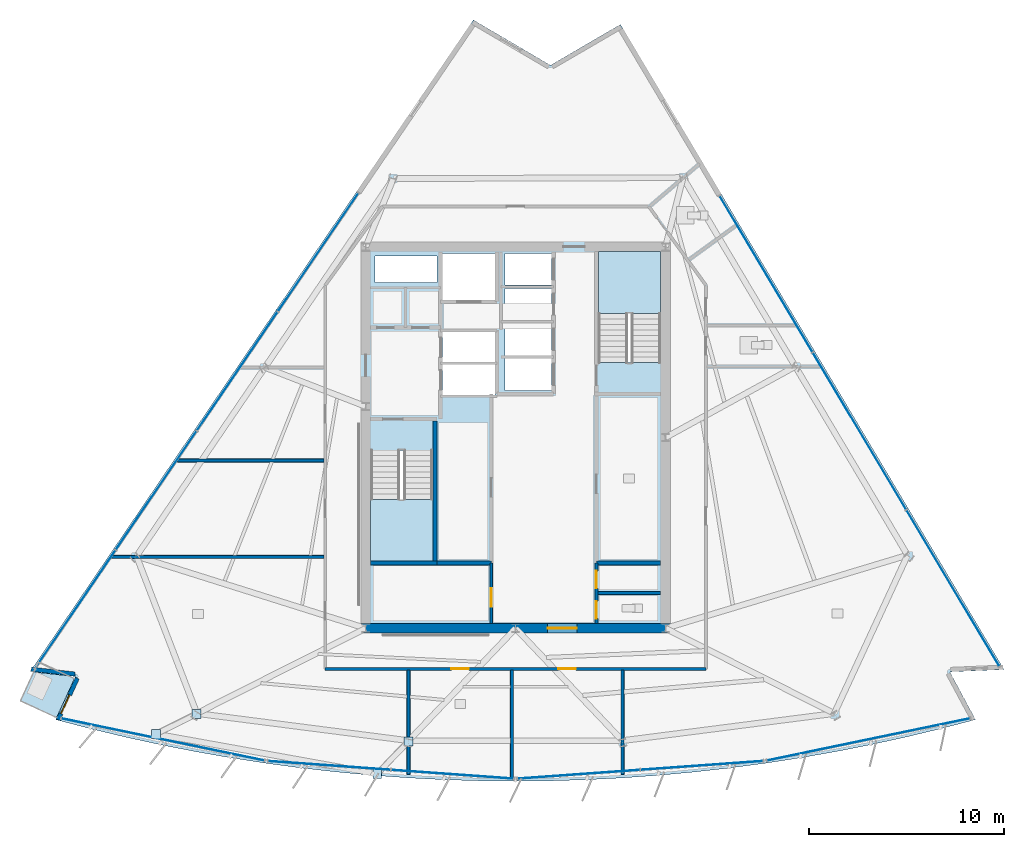
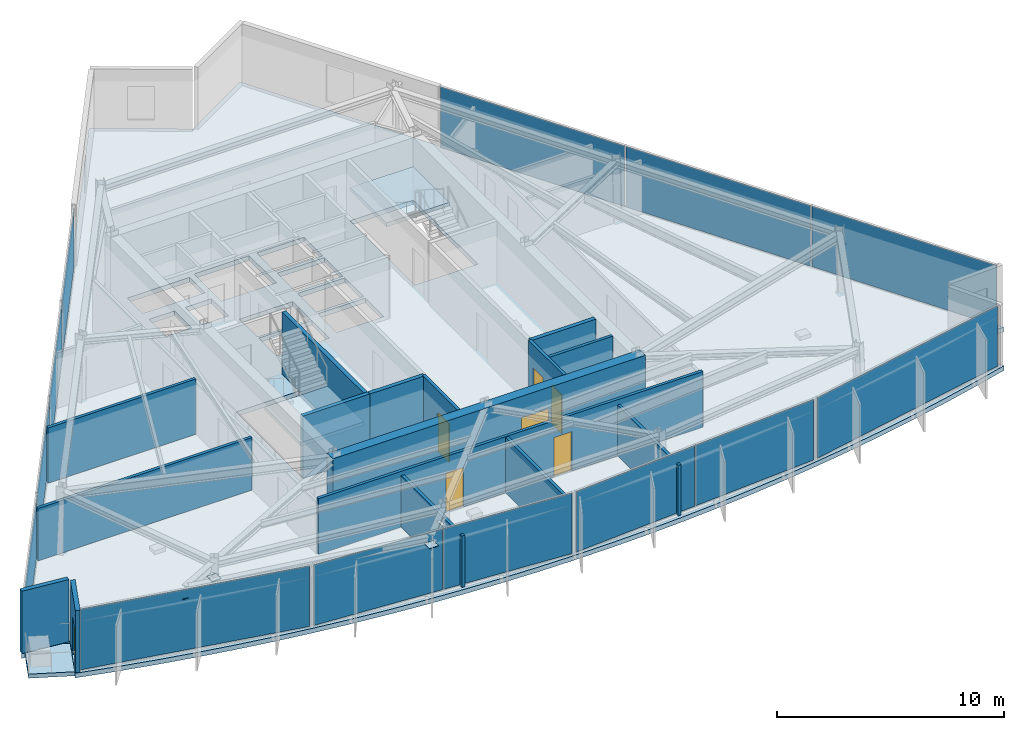
# One storey, part 6 of 13: 17 plates, 16 walls, 7 doors, 4 slabs, 7 openings, 8 elements without a shape of their own.
"""IFC4 building model written with IfcOpenShell, lengths in metres."""

from ifc_helpers import new_model, si_unit, direction, frame, frame_2d, origin, origin_2d, place, context, subcontext, project, spatial, polyline, rectangle, outline, extrude, material, layer, layer_set, type_object, element, fill, aggregate, save


model = new_model("IFC4")

# Units and contexts
model_context = context("Model", 3, precision=1e-05, world=origin(), true_north=direction((0.0, 1.0)))
body_context = subcontext(model_context, "Body", "Model", "MODEL_VIEW")
ifc_project = project(units=[si_unit("LENGTHUNIT", "METRE"), si_unit("AREAUNIT", "SQUARE_METRE"), si_unit("VOLUMEUNIT", "CUBIC_METRE"), si_unit("PLANEANGLEUNIT", "RADIAN"), si_unit("MASSUNIT", "GRAM", prefix="KILO")], contexts=[model_context])

# Site, building, storey
site_placement = place(None, origin())
site = spatial("IfcSite", under=ifc_project, at=site_placement, CompositionType="ELEMENT")
building_placement = place(site_placement, origin())
building = spatial("IfcBuilding", under=site, at=building_placement, Name="Savorim Split Tower", CompositionType="ELEMENT")
storey_placement = place(building_placement, frame((0.0, 0.0, 223.5)))
storey = spatial("IfcBuildingStorey", under=building, at=storey_placement, Name="L59", CompositionType="ELEMENT", Elevation=223.5)

# Curtain wall, plate
ifc_material_1 = material(Name="Dark Ceramic-Fritted Insulated Glass", Category="glass")
curtain_wall_type = type_object("IfcCurtainWallType", Name="CW-TWR-FRIT-B", PredefinedType="NOTDEFINED", material=ifc_material_1)
curtain_wall_1_placement = place(storey_placement, origin())
curtain_wall_1 = element("IfcCurtainWall", 1, at=curtain_wall_1_placement, inside=storey, type_object=curtain_wall_type, Name="L59 Curtain Wall CW-L59-SF1", PredefinedType="NOTDEFINED")
ifc_layer_1 = layer(ifc_material_1, 0.02587890625)
ifc_layer_set_1 = layer_set([ifc_layer_1], Name="CWP-FRITB-26")
plate_type_1 = type_object("IfcPlateType", Name="CWP-FRITB-26", PredefinedType="CURTAIN_PANEL", material=ifc_layer_set_1)
plate_1_placement = place(storey_placement, frame((-18.126953125, -15.110595703125, 0.050048828125), z_axis=(0.0, 0.0, 1.0), x_axis=(0.979134710676, -0.203212249506, 0.0)))
plate_1 = element("IfcPlate", 2, at=plate_1_placement, type_object=plate_type_1, Name="CW-03 panel 1.1", PredefinedType="CURTAIN_PANEL", context=body_context, shape_type="SweptSolid", body=[
    extrude(rectangle(XDim=10.62841796875, YDim=0.02587890625, at=origin_2d()), origin(), (0.0, 0.0, 1.0), 3.25),
])
aggregate(curtain_wall_1, [plate_1])

# Curtain wall, plates
curtain_wall_2_placement = place(storey_placement, origin())
curtain_wall_2 = element("IfcCurtainWall", 3, at=curtain_wall_2_placement, inside=storey, type_object=curtain_wall_type, Name="L59 Curtain Wall CW-L59-SF2", PredefinedType="NOTDEFINED")
plate_2_placement = place(storey_placement, frame((-9.5693359375, -16.446044921875, 0.050048828125), z_axis=(0.0, 0.0, 1.0), x_axis=(0.997436424319, -0.071558224136, 0.0)))
plate_2 = element("IfcPlate", 4, at=plate_2_placement, type_object=plate_type_1, Name="CW-03 panel 1.1", PredefinedType="CURTAIN_PANEL", context=body_context, shape_type="SweptSolid", body=[
    extrude(rectangle(XDim=6.28173828125, YDim=0.02587890625, at=origin_2d()), origin(), (0.0, 0.0, 1.0), 3.25),
])
plate_3_placement = place(storey_placement, frame((-3.243896484375, -16.899658203125, 0.050048828125), z_axis=(0.0, 0.0, 1.0), x_axis=(0.997436424319, -0.071558224136, 0.0)))
plate_3 = element("IfcPlate", 5, at=plate_3_placement, type_object=plate_type_1, Name="CW-03 panel 2.1", PredefinedType="CURTAIN_PANEL", context=body_context, shape_type="SweptSolid", body=[
    extrude(rectangle(XDim=6.28173828125, YDim=0.02587890625, at=origin_2d()), origin(), (0.0, 0.0, 1.0), 3.25),
])
aggregate(curtain_wall_2, [plate_2, plate_3])

curtain_wall_3_placement = place(storey_placement, origin())
curtain_wall_3 = element("IfcCurtainWall", 6, at=curtain_wall_3_placement, inside=storey, type_object=curtain_wall_type, Name="L59 Curtain Wall CW-L59-SF3", PredefinedType="NOTDEFINED")
plate_4_placement = place(storey_placement, frame((3.243896484375, -16.899658203125, 0.050048828125), z_axis=(0.0, 0.0, 1.0), x_axis=(0.997436424319, 0.071558224136, 0.0)))
plate_4 = element("IfcPlate", 7, at=plate_4_placement, type_object=plate_type_1, Name="CW-03 panel 1.1", PredefinedType="CURTAIN_PANEL", context=body_context, shape_type="SweptSolid", body=[
    extrude(rectangle(XDim=6.28173828125, YDim=0.02587890625, at=origin_2d()), origin(), (0.0, 0.0, 1.0), 3.25),
])
plate_5_placement = place(storey_placement, frame((9.5693359375, -16.446044921875, 0.050048828125), z_axis=(0.0, 0.0, 1.0), x_axis=(0.997436424319, 0.071558224136, 0.0)))
plate_5 = element("IfcPlate", 8, at=plate_5_placement, type_object=plate_type_1, Name="CW-03 panel 2.1", PredefinedType="CURTAIN_PANEL", context=body_context, shape_type="SweptSolid", body=[
    extrude(rectangle(XDim=6.28173828125, YDim=0.02587890625, at=origin_2d()), origin(), (0.0, 0.0, 1.0), 3.25),
])
aggregate(curtain_wall_3, [plate_4, plate_5])

# Curtain wall, plate
curtain_wall_4_placement = place(storey_placement, origin())
curtain_wall_4 = element("IfcCurtainWall", 9, at=curtain_wall_4_placement, inside=storey, type_object=curtain_wall_type, Name="L59 Curtain Wall CW-L59-SF4", PredefinedType="NOTDEFINED")
plate_6_placement = place(storey_placement, frame((18.126953125, -15.110595703125, 0.050048828125), z_axis=(0.0, 0.0, 1.0), x_axis=(0.979134710676, 0.203212249506, 0.0)))
plate_6 = element("IfcPlate", 10, at=plate_6_placement, type_object=plate_type_1, Name="CW-03 panel 1.1", PredefinedType="CURTAIN_PANEL", context=body_context, shape_type="SweptSolid", body=[
    extrude(rectangle(XDim=10.62841796875, YDim=0.02587890625, at=origin_2d()), origin(), (0.0, 0.0, 1.0), 3.25),
])
aggregate(curtain_wall_4, [plate_6])

# Curtain wall, plates
curtain_wall_5_placement = place(storey_placement, origin())
curtain_wall_5 = element("IfcCurtainWall", 11, at=curtain_wall_5_placement, inside=storey, type_object=curtain_wall_type, Name="L59 Curtain Wall CW-L59-EAST", PredefinedType="NOTDEFINED")
plate_7_placement = place(storey_placement, frame((22.467041015625, -7.335205078125, 0.050048828125), z_axis=(0.0, 0.0, 1.0), x_axis=(-0.51109620442, 0.859523513249, 0.0)))
plate_7 = element("IfcPlate", 12, at=plate_7_placement, type_object=plate_type_1, Name="CW-03 panel 1.1", PredefinedType="CURTAIN_PANEL", context=body_context, shape_type="SweptSolid", body=[
    extrude(rectangle(XDim=9.3125, YDim=0.02587890625, at=origin_2d()), origin(), (0.0, 0.0, 1.0), 3.25),
])
plate_8_placement = place(storey_placement, frame((17.669189453125, 0.733642578125, 0.050048828125), z_axis=(0.0, 0.0, 1.0), x_axis=(-0.51109620442, 0.859523513249, 0.0)))
plate_8 = element("IfcPlate", 13, at=plate_8_placement, type_object=plate_type_1, Name="CW-03 panel 2.1", PredefinedType="CURTAIN_PANEL", context=body_context, shape_type="SweptSolid", body=[
    extrude(rectangle(XDim=9.342529296875, YDim=0.02587890625, at=origin_2d()), origin(), (0.0, 0.0, 1.0), 3.25),
])
plate_9_placement = place(storey_placement, frame((12.871337890625, 8.802490234375, 0.050048828125), z_axis=(0.0, 0.0, 1.0), x_axis=(-0.51109620442, 0.859523513249, 0.0)))
plate_9 = element("IfcPlate", 14, at=plate_9_placement, type_object=plate_type_1, Name="CW-03 panel 3.1", PredefinedType="CURTAIN_PANEL", context=body_context, shape_type="SweptSolid", body=[
    extrude(rectangle(XDim=9.3125, YDim=0.02587890625, at=origin_2d()), origin(), (0.0, 0.0, 1.0), 3.25),
])
aggregate(curtain_wall_5, [plate_7, plate_8, plate_9])

curtain_wall_6_placement = place(storey_placement, origin())
curtain_wall_6 = element("IfcCurtainWall", 15, at=curtain_wall_6_placement, inside=storey, type_object=curtain_wall_type, Name="L59 Curtain Wall CW-L59-WEST", PredefinedType="NOTDEFINED")
plate_10_placement = place(storey_placement, frame((-10.14208984375, 9.923583984375, 0.050048828125), z_axis=(0.0, 0.0, 1.0), x_axis=(-0.562466573779, -0.826820024782, 0.0)))
plate_10 = element("IfcPlate", 16, at=plate_10_placement, type_object=plate_type_1, Name="CW-03 panel 1.1", PredefinedType="CURTAIN_PANEL", context=body_context, shape_type="SweptSolid", body=[
    extrude(rectangle(XDim=7.317626953125, YDim=0.02587890625, at=origin_2d()), origin(), (0.0, 0.0, 1.0), 3.25),
])
plate_11_placement = place(storey_placement, frame((-14.300048828125, 3.811279296875, 0.050048828125), z_axis=(0.0, 0.0, 1.0), x_axis=(-0.562466573779, -0.826820024782, 0.0)))
plate_11 = element("IfcPlate", 17, at=plate_11_placement, type_object=plate_type_1, Name="CW-03 panel 2.1", PredefinedType="CURTAIN_PANEL", context=body_context, shape_type="SweptSolid", body=[
    extrude(rectangle(XDim=7.347412109375, YDim=0.02587890625, at=origin_2d()), origin(), (0.0, 0.0, 1.0), 3.25),
])
plate_12_placement = place(storey_placement, frame((-18.466552734375, -2.313232421875, 0.050048828125), z_axis=(0.0, 0.0, 1.0), x_axis=(-0.562466573779, -0.826820024782, 0.0)))
plate_12 = element("IfcPlate", 18, at=plate_12_placement, type_object=plate_type_1, Name="CW-03 panel 3.1", PredefinedType="CURTAIN_PANEL", context=body_context, shape_type="SweptSolid", body=[
    extrude(rectangle(XDim=7.347412109375, YDim=0.02587890625, at=origin_2d()), origin(), (0.0, 0.0, 1.0), 3.25),
])
plate_13_placement = place(storey_placement, frame((-22.62451171875, -8.425537109375, 0.050048828125), z_axis=(0.0, 0.0, 1.0), x_axis=(-0.562466573779, -0.826820024782, 0.0)))
plate_13 = element("IfcPlate", 19, at=plate_13_placement, type_object=plate_type_1, Name="CW-03 panel 4.1", PredefinedType="CURTAIN_PANEL", context=body_context, shape_type="SweptSolid", body=[
    extrude(rectangle(XDim=7.317626953125, YDim=0.02587890625, at=origin_2d()), origin(), (0.0, 0.0, 1.0), 3.25),
])
aggregate(curtain_wall_6, [plate_10, plate_11, plate_12, plate_13])

# Plates
ifc_material_2 = material(Name="Steel S460", Category="steel")
ifc_layer_2 = layer(ifc_material_2, 0.02490234375)
ifc_layer_set_2 = layer_set([ifc_layer_2], Name="PLT-NODE-CN1")
plate_type_2 = type_object("IfcPlateType", Name="PLT-NODE-CN1", PredefinedType="SHEET", material=ifc_layer_set_2)
for number, where, z_axis, x_axis, name in (
    (20, (-16.3974609375, -13.8125, 2.4375), (0.0, 0.0, 1.0), (1.0, 0.0, 0.0), "L59 Bay Strut Column Gusset Plate 1"),
    (21, (-18.47216796875, -14.832275390625, 2.8076171875), (0.0, 0.0, 1.0), (1.0, 0.0, 0.0), "L59 Bay Strut Tip Gusset Plate 1"),
    (22, (-5.49560546875, -15.212158203125, 2.4375), (0.0, 0.0, 1.0), (1.0, 0.0, 0.0), "L59 Bay Strut Column Gusset Plate 2"),
    (23, (-7.107177734375, -16.875, 2.8076171875), (0.0, 0.0, 1.0), (1.0, 0.0, 0.0), "L59 Bay Strut Tip Gusset Plate 2"),
):
    element("IfcPlate", number, at=place(storey_placement, frame(where, z_axis=z_axis, x_axis=x_axis)), inside=storey, type_object=plate_type_2, Name=name, PredefinedType="SHEET", context=body_context, shape_type="SweptSolid", body=[
        extrude(rectangle(XDim=0.4599609375, YDim=0.4599609375, at=origin_2d()), origin(), (0.0, 0.0, 1.0), 0.02490234375),
    ])

# Slab
ifc_material_3 = material(Name="Concrete C50/60", Category="concrete")
ifc_layer_3 = layer(ifc_material_3, 0.219970703125)
ifc_layer_set_3 = layer_set([ifc_layer_3], Name="SLB-BAL-220")
slab_type_1 = type_object("IfcSlabType", Name="SLB-BAL-220", PredefinedType="FLOOR", material=ifc_layer_set_3)
slab_1_placement = place(storey_placement, frame((0.0, 0.0, -0.219970703125)))
element("IfcSlab", 24, at=slab_1_placement, inside=storey, type_object=slab_type_1, Name="L59 Notched Corner Planted Tree Balcony Slab", PredefinedType="FLOOR", context=body_context, shape_type="SweptSolid", body=[
    extrude(outline(polyline([(-23.583251953125, -13.97998046875), (-22.6650390625, -11.981689453125), (-22.9755859375, -11.839111328125), (-24.758544921875, -11.639892578125), (-25.44140625, -13.126220703125), (-23.583251953125, -13.97998046875)])), origin(), (0.0, 0.0, 1.0), 0.219970703125),
])

# Stair, slab
stair_type = type_object("IfcStairType", Name="STR-DOG-3600", PredefinedType="HALF_TURN_STAIR", material=ifc_material_3)
stair_1_placement = place(storey_placement, origin())
stair_1 = element("IfcStair", 25, at=stair_1_placement, inside=storey, type_object=stair_type, Name="L59 Core Protected Exit Stair ST-1", PredefinedType="HALF_TURN_STAIR")
ifc_layer_4 = layer(ifc_material_3, 0.199951171875)
ifc_layer_set_4 = layer_set([ifc_layer_4], Name="SLB-LND-200")
slab_type_2 = type_object("IfcSlabType", Name="SLB-LND-200", PredefinedType="LANDING", material=ifc_layer_set_4)
slab_2_placement = place(storey_placement, frame((0.0, 0.0, 1.60009765625)))
slab_2 = element("IfcSlab", 26, at=slab_2_placement, type_object=slab_type_2, Name="ST-1 landing 1", PredefinedType="LANDING", context=body_context, shape_type="SweptSolid", body=[
    extrude(outline(polyline([(-7.449951171875, -2.77001953125), (-7.449951171875, -5.949951171875), (-4.25, -5.949951171875), (-4.25, -2.77001953125), (-7.449951171875, -2.77001953125)])), origin(), (0.0, 0.0, 1.0), 0.199951171875),
])
aggregate(stair_1, [slab_2])

stair_2_placement = place(storey_placement, origin())
stair_2 = element("IfcStair", 27, at=stair_2_placement, inside=storey, type_object=stair_type, Name="L59 Core Protected Exit Stair ST-2", PredefinedType="HALF_TURN_STAIR")
slab_3_placement = place(storey_placement, frame((0.0, 0.0, 1.60009765625)))
slab_3 = element("IfcSlab", 28, at=slab_3_placement, type_object=slab_type_2, Name="ST-2 landing 1", PredefinedType="LANDING", context=body_context, shape_type="SweptSolid", body=[
    extrude(outline(polyline([(7.449951171875, 6.77001953125), (7.449951171875, 9.949951171875), (4.25, 9.949951171875), (4.25, 6.77001953125), (7.449951171875, 6.77001953125)])), origin(), (0.0, 0.0, 1.0), 0.199951171875),
])
aggregate(stair_2, [slab_3])

# Slab
ifc_layer_5 = layer(ifc_material_3, 0.25)
ifc_layer_set_5 = layer_set([ifc_layer_5], Name="SLB-TWR-250")
slab_type_3 = type_object("IfcSlabType", Name="SLB-TWR-250", PredefinedType="FLOOR", material=ifc_layer_set_5)
slab_4_placement = place(storey_placement, frame((0.0, 0.0, -0.25)))
element("IfcSlab", 29, at=slab_4_placement, inside=storey, type_object=slab_type_3, Name="L59 Structural Floor Slab", PredefinedType="FLOOR", context=body_context, shape_type="SweptSolid", body=[
    extrude(outline(polyline([(-23.62890625, -14.09130859375), (-21.849609375, -14.556396484375), (-20.06103515625, -14.9853515625), (-18.26416015625, -15.37744140625), (-16.45947265625, -15.73291015625), (-14.648193359375, -16.051025390625), (-12.83056640625, -16.332275390625), (-11.007568359375, -16.576171875), (-9.179931640625, -16.78271484375), (-7.3486328125, -16.951904296875), (-5.51416015625, -17.08349609375), (-3.677490234375, -17.177490234375), (-1.839111328125, -17.23388671875), (0.0, -17.252685546875), (1.839111328125, -17.23388671875), (3.677490234375, -17.177490234375), (5.51416015625, -17.08349609375), (7.3486328125, -16.951904296875), (9.179931640625, -16.78271484375), (11.007568359375, -16.576171875), (12.83056640625, -16.332275390625), (14.648193359375, -16.051025390625), (16.45947265625, -15.73291015625), (18.26416015625, -15.37744140625), (20.06103515625, -14.9853515625), (21.849609375, -14.556396484375), (23.62890625, -14.09130859375), (22.310791015625, -11.635009765625), (25.09326171875, -11.5166015625), (5.38623046875, 21.625244140625), (1.788818359375, 19.528564453125), (-2.17041015625, 21.85546875), (-24.939208984375, -11.61474609375), (-22.6103515625, -11.874755859375), (-23.62890625, -14.09130859375)]), holes=[polyline([(-7.449951171875, -0.25390625), (-7.449951171875, -5.949951171875), (-4.25, -5.949951171875), (-4.25, -0.25390625), (-7.449951171875, -0.25390625)]), polyline([(7.449951171875, 4.25390625), (7.449951171875, 9.949951171875), (4.25, 9.949951171875), (4.25, 4.25390625), (7.449951171875, 4.25390625)]), polyline([(-0.550048828125, 2.830078125), (1.85009765625, 2.830078125), (1.85009765625, 4.469970703125), (-0.550048828125, 4.469970703125), (-0.550048828125, 2.830078125)]), polyline([(-0.550048828125, 4.6298828125), (1.85009765625, 4.6298828125), (1.85009765625, 6.27001953125), (-0.550048828125, 6.27001953125), (-0.550048828125, 4.6298828125)]), polyline([(-0.550048828125, 6.429931640625), (1.85009765625, 6.429931640625), (1.85009765625, 8.070068359375), (-0.550048828125, 8.070068359375), (-0.550048828125, 6.429931640625)]), polyline([(-0.550048828125, 8.22998046875), (1.85009765625, 8.22998046875), (1.85009765625, 9.8701171875), (-0.550048828125, 9.8701171875), (-0.550048828125, 8.22998046875)]), polyline([(-3.75, 2.60009765625), (-1.050048828125, 2.60009765625), (-1.050048828125, 4.159912109375), (-3.75, 4.159912109375), (-3.75, 2.60009765625)]), polyline([(-3.75, 4.280029296875), (-1.050048828125, 4.280029296875), (-1.050048828125, 5.840087890625), (-3.75, 5.840087890625), (-3.75, 4.280029296875)]), polyline([(-3.75, 7.449951171875), (-0.949951171875, 7.449951171875), (-0.949951171875, 9.85009765625), (-3.75, 9.85009765625), (-3.75, 7.449951171875)]), polyline([(-7.219970703125, 6.320068359375), (-5.919921875, 6.320068359375), (-5.919921875, 7.820068359375), (-7.219970703125, 7.820068359375), (-7.219970703125, 6.320068359375)]), polyline([(-5.3798828125, 6.320068359375), (-4.050048828125, 6.320068359375), (-4.050048828125, 7.820068359375), (-5.3798828125, 7.820068359375), (-5.3798828125, 6.320068359375)]), polyline([(-7.219970703125, 8.360107421875), (-4.050048828125, 8.360107421875), (-4.050048828125, 9.719970703125), (-7.219970703125, 9.719970703125), (-7.219970703125, 8.360107421875)])]), origin(), (0.0, 0.0, 1.0), 0.25),
])

# Wall, opening, door
ifc_material_4 = material(Name="Concrete C60/75", Category="concrete")
ifc_layer_6 = layer(ifc_material_4, 0.5)
ifc_layer_set_6 = layer_set([ifc_layer_6], Name="WAL-COR-SH500")
wall_type_1 = type_object("IfcWallType", Name="WAL-COR-SH500", PredefinedType="SHEAR", material=ifc_layer_set_6)
wall_1_placement = place(storey_placement, frame((-7.949951171875, -9.39990234375, 0.0), z_axis=(0.0, 0.0, 1.0), x_axis=(1.0, 0.0, 0.0)))
wall_1 = element("IfcWall", 30, at=wall_1_placement, inside=storey, type_object=wall_type_1, Name="L59 Offset Core South Shear Wall", PredefinedType="SHEAR", context=body_context, shape_type="SweptSolid", body=[
    extrude(rectangle(XDim=15.89990234375, YDim=0.5, at=frame_2d((7.949951171875, 0.0))), origin(), (0.0, 0.0, 1.0), 3.35009765625),
])
opening_1_placement = place(wall_1_placement, frame((9.60009765625, 0.0, 0.0)))
opening_1 = element("IfcOpeningElement", 31, at=opening_1_placement, cuts=wall_1, Name="Opening DI-02", PredefinedType="OPENING", context=body_context, shape_type="SweptSolid", body=[
    extrude(rectangle(XDim=1.5, YDim=2.199951171875, at=frame_2d((0.75, 1.10009765625))), frame((0.0, 0.260009765625, 0.0), z_axis=(0.0, -1.0, 0.0), x_axis=(1.0, 0.0, 0.0)), (0.0, 0.0, 1.0), 0.52001953125),
])
ifc_material_5 = material(Name="Timber Fire Door Leaf", Category="wood")
door_type_1 = type_object("IfcDoorType", Name="DOR-DBL-1500", OperationType="NOTDEFINED", PredefinedType="DOOR", material=ifc_material_5)
door_1_placement = place(opening_1_placement, origin())
door_1 = element("IfcDoor", 32, at=door_1_placement, inside=storey, type_object=door_type_1, Name="DOR-L59-COR-LLOB - L59 Lift Lobby Main Rated Door", OperationType="DOUBLE_DOOR_SINGLE_SWING", OverallHeight=2.199951171875, OverallWidth=1.5, PredefinedType="DOOR", context=body_context, shape_type="SweptSolid", body=[
    extrude(rectangle(XDim=1.5, YDim=2.199951171875, at=frame_2d((0.75, 1.10009765625))), frame((0.0, 0.02490234375, 0.0), z_axis=(0.0, -1.0, 0.0), x_axis=(1.0, 0.0, 0.0)), (0.0, 0.0, 1.0), 0.050048828125),
])
fill(opening_1, door_1)

# Wall
ifc_material_6 = material(Name="Precast concrete C40/50", Category="concrete")
ifc_layer_7 = layer(ifc_material_6, 0.219970703125)
ifc_layer_set_7 = layer_set([ifc_layer_7], Name="WAL-EXT-CRN220")
wall_type_2 = type_object("IfcWallType", Name="WAL-EXT-CRN220", PredefinedType="SOLIDWALL", material=ifc_layer_set_7)
wall_2_placement = place(storey_placement, frame((-22.63671875, -11.751220703125, 0.0), z_axis=(0.0, 0.0, 1.0), x_axis=(-0.993821756753, 0.110987908368, 0.0)))
element("IfcWall", 33, at=wall_2_placement, inside=storey, type_object=wall_type_2, Name="L59 Notched Corner Facade Wall SW1", PredefinedType="SOLIDWALL", context=body_context, shape_type="SweptSolid", body=[
    extrude(rectangle(XDim=2.263427734375, YDim=0.219970703125, at=frame_2d((1.1318359375, 0.0))), origin(), (0.0, 0.0, 1.0), 3.35009765625),
])

# Wall, opening, door
wall_3_placement = place(storey_placement, frame((-23.503173828125, -14.10498046875, 0.0), z_axis=(0.0, 0.0, 1.0), x_axis=(0.417541737863, 0.908657744777, 0.0)))
wall_3 = element("IfcWall", 34, at=wall_3_placement, inside=storey, type_object=wall_type_2, Name="L59 Notched Corner Facade Wall SW", PredefinedType="SOLIDWALL", context=body_context, shape_type="SweptSolid", body=[
    extrude(rectangle(XDim=2.359375, YDim=0.219970703125, at=frame_2d((1.1796875, 0.0))), origin(), (0.0, 0.0, 1.0), 3.35009765625),
])
opening_2_placement = place(wall_3_placement, frame((0.3544921875, 0.0, 0.0)))
opening_2 = element("IfcOpeningElement", 35, at=opening_2_placement, cuts=wall_3, Name="Opening DB-01", PredefinedType="OPENING", context=body_context, shape_type="SweptSolid", body=[
    extrude(rectangle(XDim=1.050048828125, YDim=2.14990234375, at=frame_2d((0.52490234375, 1.074951171875))), frame((0.0, 0.119873046875, 0.0), z_axis=(0.0, -1.0, 0.0), x_axis=(1.0, 0.0, 0.0)), (0.0, 0.0, 1.0), 0.239990234375),
])
ifc_material_7 = material(Name="Charcoal Anodised Aluminium", Category="aluminium")
door_type_2 = type_object("IfcDoorType", Name="DOR-BAL-1050", OperationType="NOTDEFINED", PredefinedType="DOOR", material=ifc_material_7)
door_2_placement = place(opening_2_placement, origin())
door_2 = element("IfcDoor", 36, at=door_2_placement, inside=storey, type_object=door_type_2, Name="DOR-L59-TBAL-SW - L59 Planted Tree Balcony Door SW", OperationType="SINGLE_SWING_RIGHT", OverallHeight=2.14990234375, OverallWidth=1.050048828125, PredefinedType="DOOR", context=body_context, shape_type="SweptSolid", body=[
    extrude(rectangle(XDim=1.050048828125, YDim=2.14990234375, at=frame_2d((0.52490234375, 1.074951171875))), frame((0.0, 0.02490234375, 0.0), z_axis=(0.0, -1.0, 0.0), x_axis=(1.0, 0.0, 0.0)), (0.0, 0.0, 1.0), 0.050048828125),
])
fill(opening_2, door_2)

# Walls
ifc_layer_8 = layer(ifc_material_3, 0.199951171875)
ifc_layer_set_8 = layer_set([ifc_layer_8], Name="WAL-INT-RC200")
wall_type_3 = type_object("IfcWallType", Name="WAL-INT-RC200", PredefinedType="SOLIDWALL", material=ifc_layer_set_8)
wall_4_placement = place(storey_placement, frame((-4.14990234375, -5.949951171875, 0.0), z_axis=(0.0, 0.0, 1.0), x_axis=(0.0, 1.0, 0.0)))
element("IfcWall", 37, at=wall_4_placement, inside=storey, type_object=wall_type_3, Name="L59 Structural Shaft Wall W-L59-CR02", PredefinedType="SOLIDWALL", context=body_context, shape_type="SweptSolid", body=[
    extrude(rectangle(XDim=7.199951171875, YDim=0.199951171875, at=frame_2d((3.60009765625, 0.0))), origin(), (0.0, 0.0, 1.0), 3.35009765625),
])
wall_5_placement = place(storey_placement, frame((-7.449951171875, -6.050048828125, 0.0), z_axis=(0.0, 0.0, 1.0), x_axis=(1.0, 0.0, 0.0)))
element("IfcWall", 38, at=wall_5_placement, inside=storey, type_object=wall_type_3, Name="L59 Structural Shaft Wall W-L59-KSEP-W", PredefinedType="SOLIDWALL", context=body_context, shape_type="SweptSolid", body=[
    extrude(rectangle(XDim=3.39990234375, YDim=0.199951171875, at=frame_2d((1.699951171875, 0.0))), origin(), (0.0, 0.0, 1.0), 3.35009765625),
])
wall_6_placement = place(storey_placement, frame((-4.0400390625, -6.050048828125, 0.0), z_axis=(0.0, 0.0, 1.0), x_axis=(1.0, 0.0, 0.0)))
element("IfcWall", 39, at=wall_6_placement, inside=storey, type_object=wall_type_3, Name="L59 Partition W-L59-KSEP-W2", PredefinedType="SOLIDWALL", context=body_context, shape_type="SweptSolid", body=[
    extrude(rectangle(XDim=2.7900390625, YDim=0.199951171875, at=frame_2d((1.39501953125, 0.0))), origin(), (0.0, 0.0, 1.0), 3.35009765625),
])
wall_7_placement = place(storey_placement, frame((4.14990234375, -6.050048828125, 0.0), z_axis=(0.0, 0.0, 1.0), x_axis=(1.0, 0.0, 0.0)))
element("IfcWall", 40, at=wall_7_placement, inside=storey, type_object=wall_type_3, Name="L59 Partition W-L59-KSEP-E", PredefinedType="SOLIDWALL", context=body_context, shape_type="SweptSolid", body=[
    extrude(rectangle(XDim=3.295166015625, YDim=0.199951171875, at=frame_2d((1.6474609375, 0.0))), origin(), (0.0, 0.0, 1.0), 3.35009765625),
])

# Wall, opening, door
ifc_material_8 = material(Name="Acoustic Gypsum Partition Board")
ifc_layer_9 = layer(ifc_material_8, 0.14990234375)
ifc_layer_set_9 = layer_set([ifc_layer_9], Name="WAL-PAR-150")
wall_type_4 = type_object("IfcWallType", Name="WAL-PAR-150", PredefinedType="PARTITIONING", material=ifc_layer_set_9)
wall_8_placement = place(storey_placement, frame((-1.25, -9.14501953125, 0.0), z_axis=(0.0, 0.0, 1.0), x_axis=(0.0, 1.0, 0.0)))
wall_8 = element("IfcWall", 41, at=wall_8_placement, inside=storey, type_object=wall_type_4, Name="L59 Partition W-L59-KLOB-W", PredefinedType="PARTITIONING", context=body_context, shape_type="SweptSolid", body=[
    extrude(rectangle(XDim=3.094970703125, YDim=0.14990234375, at=frame_2d((1.54736328125, 0.0))), origin(), (0.0, 0.0, 1.0), 3.35009765625),
])
opening_3_placement = place(wall_8_placement, frame((0.844970703125, 0.0, 0.0)))
opening_3 = element("IfcOpeningElement", 42, at=opening_3_placement, cuts=wall_8, Name="Opening DI-05", PredefinedType="OPENING", context=body_context, shape_type="SweptSolid", body=[
    extrude(rectangle(XDim=0.949951171875, YDim=2.10009765625, at=frame_2d((0.47509765625, 1.050048828125))), frame((0.0, 0.0849609375, 0.0), z_axis=(0.0, -1.0, 0.0), x_axis=(1.0, 0.0, 0.0)), (0.0, 0.0, 1.0), 0.169921875),
])
door_type_3 = type_object("IfcDoorType", Name="DOR-FIR-950", OperationType="NOTDEFINED", PredefinedType="DOOR", material=ifc_material_5)
door_3_placement = place(opening_3_placement, origin())
door_3 = element("IfcDoor", 43, at=door_3_placement, inside=storey, type_object=door_type_3, Name="DR-L59-K3LIN - L59 Housekeeping Store Door", OperationType="SINGLE_SWING_LEFT", OverallHeight=2.10009765625, OverallWidth=0.949951171875, PredefinedType="DOOR", context=body_context, shape_type="SweptSolid", body=[
    extrude(rectangle(XDim=0.949951171875, YDim=2.10009765625, at=frame_2d((0.47509765625, 1.050048828125))), frame((0.0, 0.02490234375, 0.0), z_axis=(0.0, -1.0, 0.0), x_axis=(1.0, 0.0, 0.0)), (0.0, 0.0, 1.0), 0.050048828125),
])
fill(opening_3, door_3)

# Wall, openings, doors
wall_9_placement = place(storey_placement, frame((4.14990234375, -9.14501953125, 0.0), z_axis=(0.0, 0.0, 1.0), x_axis=(0.0, 1.0, 0.0)))
wall_9 = element("IfcWall", 44, at=wall_9_placement, inside=storey, type_object=wall_type_4, Name="L59 Partition W-L59-KLOB-E", PredefinedType="PARTITIONING", context=body_context, shape_type="SweptSolid", body=[
    extrude(rectangle(XDim=3.094970703125, YDim=0.14990234375, at=frame_2d((1.54736328125, 0.0))), origin(), (0.0, 0.0, 1.0), 3.35009765625),
])
opening_4_placement = place(wall_9_placement, frame((0.2451171875, 0.0, 0.0)))
opening_4 = element("IfcOpeningElement", 45, at=opening_4_placement, cuts=wall_9, Name="Opening DI-11", PredefinedType="OPENING", context=body_context, shape_type="SweptSolid", body=[
    extrude(rectangle(XDim=0.89990234375, YDim=2.10009765625, at=frame_2d((0.449951171875, 1.050048828125))), frame((0.0, 0.0849609375, 0.0), z_axis=(0.0, -1.0, 0.0), x_axis=(1.0, 0.0, 0.0)), (0.0, 0.0, 1.0), 0.169921875),
])
opening_5_placement = place(wall_9_placement, frame((1.794921875, 0.0, 0.0)))
opening_5 = element("IfcOpeningElement", 46, at=opening_5_placement, cuts=wall_9, Name="Opening DI-06", PredefinedType="OPENING", context=body_context, shape_type="SweptSolid", body=[
    extrude(rectangle(XDim=0.89990234375, YDim=2.10009765625, at=frame_2d((0.449951171875, 1.050048828125))), frame((0.0, 0.0849609375, 0.0), z_axis=(0.0, -1.0, 0.0), x_axis=(1.0, 0.0, 0.0)), (0.0, 0.0, 1.0), 0.169921875),
])
door_type_4 = type_object("IfcDoorType", Name="DOR-FIR-900", OperationType="NOTDEFINED", PredefinedType="DOOR", material=ifc_material_5)
door_4_placement = place(opening_5_placement, origin())
door_4 = element("IfcDoor", 47, at=door_4_placement, inside=storey, type_object=door_type_4, Name="DR-L59-K3LCK - L59 Cleaning Store Door", OperationType="SINGLE_SWING_LEFT", OverallHeight=2.10009765625, OverallWidth=0.89990234375, PredefinedType="DOOR", context=body_context, shape_type="SweptSolid", body=[
    extrude(rectangle(XDim=0.89990234375, YDim=2.10009765625, at=frame_2d((0.449951171875, 1.050048828125))), frame((0.0, 0.02490234375, 0.0), z_axis=(0.0, -1.0, 0.0), x_axis=(1.0, 0.0, 0.0)), (0.0, 0.0, 1.0), 0.050048828125),
])
fill(opening_5, door_4)
ifc_material_9 = material(Name="Oak Veneer Acoustic Door")
door_type_5 = type_object("IfcDoorType", Name="DOR-WC-900", OperationType="NOTDEFINED", PredefinedType="DOOR", material=ifc_material_9)
door_5_placement = place(opening_4_placement, origin())
door_5 = element("IfcDoor", 48, at=door_5_placement, inside=storey, type_object=door_type_5, Name="DR-L59-K3AWC - L59 Core Accessible WC Door", OperationType="SINGLE_SWING_RIGHT", OverallHeight=2.10009765625, OverallWidth=0.89990234375, PredefinedType="DOOR", context=body_context, shape_type="SweptSolid", body=[
    extrude(rectangle(XDim=0.89990234375, YDim=2.10009765625, at=frame_2d((0.449951171875, 1.050048828125))), frame((0.0, 0.02490234375, 0.0), z_axis=(0.0, -1.0, 0.0), x_axis=(1.0, 0.0, 0.0)), (0.0, 0.0, 1.0), 0.050048828125),
])
fill(opening_4, door_5)

# Wall
wall_10_placement = place(storey_placement, frame((4.14990234375, -7.580078125, 0.0), z_axis=(0.0, 0.0, 1.0), x_axis=(1.0, 0.0, 0.0)))
element("IfcWall", 49, at=wall_10_placement, inside=storey, type_object=wall_type_4, Name="L59 Partition W-L59-K3H", PredefinedType="PARTITIONING", context=body_context, shape_type="SweptSolid", body=[
    extrude(rectangle(XDim=3.295166015625, YDim=0.14990234375, at=frame_2d((1.6474609375, 0.0))), origin(), (0.0, 0.0, 1.0), 3.35009765625),
])

# Wall, openings, doors
wall_11_placement = place(storey_placement, frame((9.780029296875, -11.47998046875, 0.0), z_axis=(0.0, 0.0, 1.0), x_axis=(-1.0, 0.0, 0.0)))
wall_11 = element("IfcWall", 50, at=wall_11_placement, inside=storey, type_object=wall_type_4, Name="L59 Partition W-L59-COR-06", PredefinedType="PARTITIONING", context=body_context, shape_type="SweptSolid", body=[
    extrude(rectangle(XDim=19.56005859375, YDim=0.14990234375, at=frame_2d((9.780029296875, 0.0))), origin(), (0.0, 0.0, 1.0), 3.0048828125),
])
opening_6_placement = place(wall_11_placement, frame((12.177490234375, 0.0, 0.0)))
opening_6 = element("IfcOpeningElement", 51, at=opening_6_placement, cuts=wall_11, Name="Opening DI-06", PredefinedType="OPENING", context=body_context, shape_type="SweptSolid", body=[
    extrude(rectangle(XDim=0.89990234375, YDim=2.10009765625, at=frame_2d((0.449951171875, 1.050048828125))), frame((0.0, 0.0849609375, 0.0), z_axis=(0.0, -1.0, 0.0), x_axis=(1.0, 0.0, 0.0)), (0.0, 0.0, 1.0), 0.169921875),
])
opening_7_placement = place(wall_11_placement, frame((6.677490234375, 0.0, 0.0)))
opening_7 = element("IfcOpeningElement", 52, at=opening_7_placement, cuts=wall_11, Name="Opening DI-06", PredefinedType="OPENING", context=body_context, shape_type="SweptSolid", body=[
    extrude(rectangle(XDim=0.89990234375, YDim=2.10009765625, at=frame_2d((0.449951171875, 1.050048828125))), frame((0.0, 0.0849609375, 0.0), z_axis=(0.0, -1.0, 0.0), x_axis=(1.0, 0.0, 0.0)), (0.0, 0.0, 1.0), 0.169921875),
])
door_6_placement = place(opening_6_placement, origin())
door_6 = element("IfcDoor", 53, at=door_6_placement, inside=storey, type_object=door_type_4, Name="DR-L59-RM03 - L59 Shared Kitchen Entry Door", OperationType="SINGLE_SWING_RIGHT", OverallHeight=2.10009765625, OverallWidth=0.89990234375, PredefinedType="DOOR", context=body_context, shape_type="SweptSolid", body=[
    extrude(rectangle(XDim=0.89990234375, YDim=2.10009765625, at=frame_2d((0.449951171875, 1.050048828125))), frame((0.0, 0.02490234375, 0.0), z_axis=(0.0, -1.0, 0.0), x_axis=(1.0, 0.0, 0.0)), (0.0, 0.0, 1.0), 0.050048828125),
])
fill(opening_6, door_6)
door_7_placement = place(opening_7_placement, origin())
door_7 = element("IfcDoor", 54, at=door_7_placement, inside=storey, type_object=door_type_4, Name="DR-L59-RM04 - L59 Maker Workshop Entry Door", OperationType="SINGLE_SWING_LEFT", OverallHeight=2.10009765625, OverallWidth=0.89990234375, PredefinedType="DOOR", context=body_context, shape_type="SweptSolid", body=[
    extrude(rectangle(XDim=0.89990234375, YDim=2.10009765625, at=frame_2d((0.449951171875, 1.050048828125))), frame((0.0, 0.02490234375, 0.0), z_axis=(0.0, -1.0, 0.0), x_axis=(1.0, 0.0, 0.0)), (0.0, 0.0, 1.0), 0.050048828125),
])
fill(opening_7, door_7)

# Walls
wall_12_placement = place(storey_placement, frame((-5.500244140625, -11.5400390625, 0.0), z_axis=(0.0, 0.0, 1.0), x_axis=(0.0, -1.0, 0.0)))
element("IfcWall", 55, at=wall_12_placement, inside=storey, type_object=wall_type_4, Name="L59 Partition W-L59-PRAD02", PredefinedType="PARTITIONING", context=body_context, shape_type="SweptSolid", body=[
    extrude(rectangle(XDim=5.3740234375, YDim=0.14990234375, at=frame_2d((2.68701171875, 0.0))), origin(), (0.0, 0.0, 1.0), 2.77490234375),
])
wall_13_placement = place(storey_placement, frame((5.500244140625, -11.5400390625, 0.0), z_axis=(0.0, 0.0, 1.0), x_axis=(0.0, -1.0, 0.0)))
element("IfcWall", 56, at=wall_13_placement, inside=storey, type_object=wall_type_4, Name="L59 Partition W-L59-PRAD03", PredefinedType="PARTITIONING", context=body_context, shape_type="SweptSolid", body=[
    extrude(rectangle(XDim=5.3740234375, YDim=0.14990234375, at=frame_2d((2.68701171875, 0.0))), origin(), (0.0, 0.0, 1.0), 2.72509765625),
])
wall_14_placement = place(storey_placement, frame((-9.840087890625, -5.72900390625, 0.0), z_axis=(0.0, 0.0, 1.0), x_axis=(-1.0, 0.0, 0.0)))
element("IfcWall", 57, at=wall_14_placement, inside=storey, type_object=wall_type_4, Name="L59 Partition W-L59-PRAD10", PredefinedType="PARTITIONING", context=body_context, shape_type="SweptSolid", body=[
    extrude(rectangle(XDim=10.8896484375, YDim=0.14990234375, at=frame_2d((5.44482421875, 0.0))), origin(), (0.0, 0.0, 1.0), 2.824951171875),
])
wall_15_placement = place(storey_placement, frame((-9.840087890625, -0.781005859375, 0.0), z_axis=(0.0, 0.0, 1.0), x_axis=(-1.0, 0.0, 0.0)))
element("IfcWall", 58, at=wall_15_placement, inside=storey, type_object=wall_type_4, Name="L59 Partition W-L59-SUB01", PredefinedType="PARTITIONING", context=body_context, shape_type="SweptSolid", body=[
    extrude(rectangle(XDim=7.523681640625, YDim=0.14990234375, at=frame_2d((3.76171875, 0.0))), origin(), (0.0, 0.0, 1.0), 2.97509765625),
])
wall_16_placement = place(storey_placement, frame((-0.195068359375, -11.5400390625, 0.0), z_axis=(0.0, 0.0, 1.0), x_axis=(0.0, -1.0, 0.0)))
element("IfcWall", 59, at=wall_16_placement, inside=storey, type_object=wall_type_4, Name="L59 Partition W-L59-SUB02", PredefinedType="PARTITIONING", context=body_context, shape_type="SweptSolid", body=[
    extrude(rectangle(XDim=5.540771484375, YDim=0.14990234375, at=frame_2d((2.7705078125, 0.0))), origin(), (0.0, 0.0, 1.0), 2.97509765625),
])

save(model, "model.ifc")
